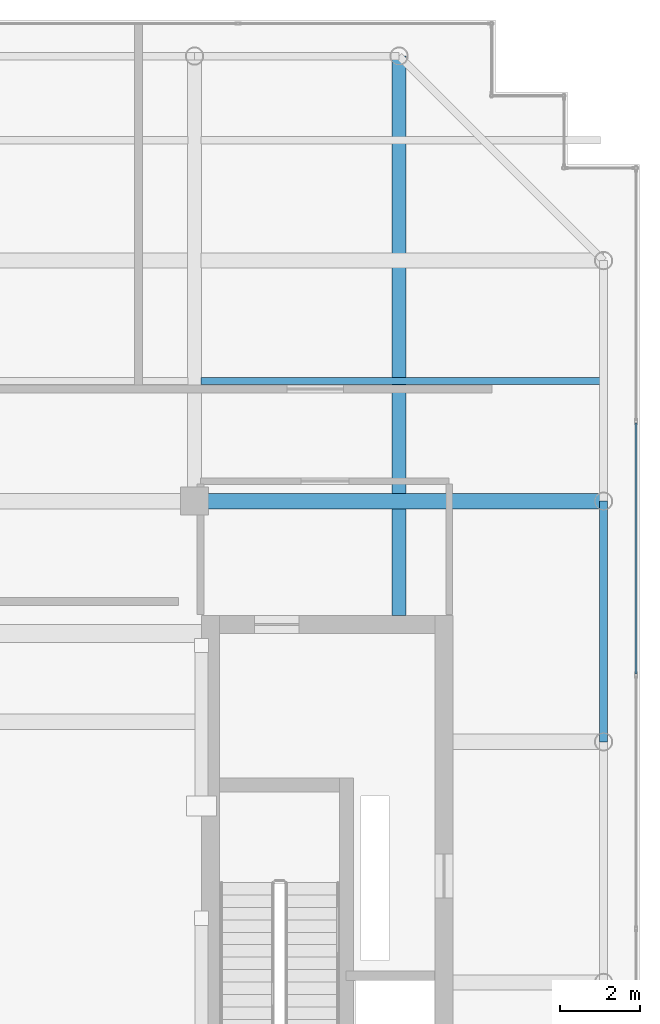
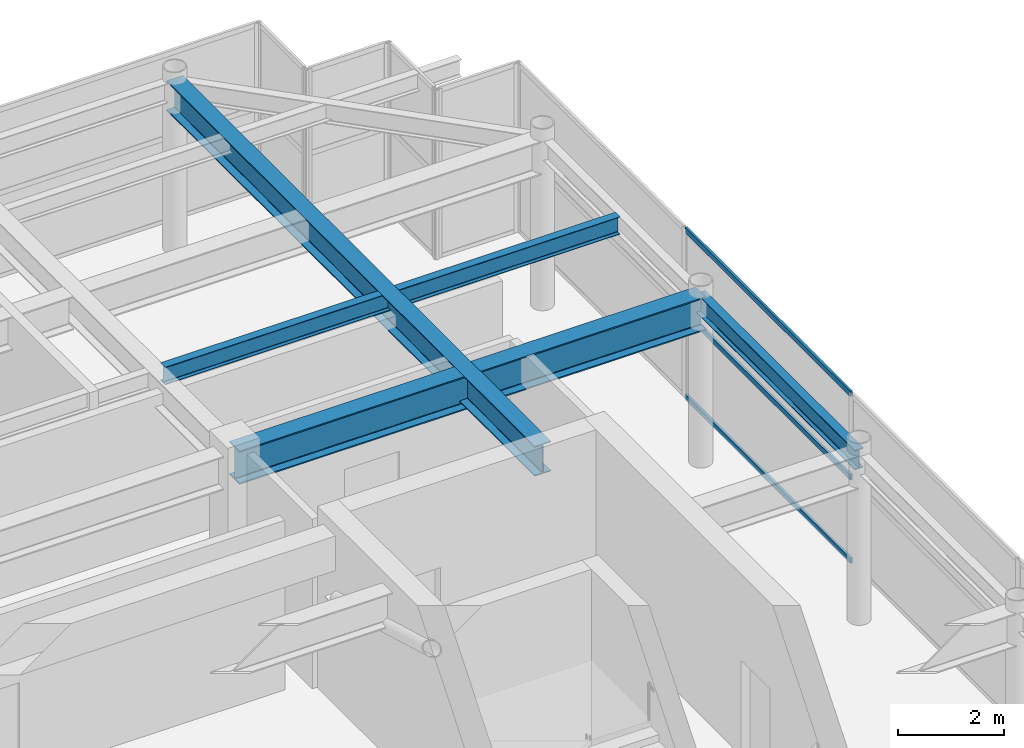
# One storey, part 18 of 33: 4 beams, 3 members, 1 element without a shape of its own.
"""IFC4 building model written with IfcOpenShell, lengths in metres."""

from ifc_helpers import new_model, si_unit, direction, frame, origin, origin_2d, place, context, subcontext, project, spatial, hollow_rectangle, i_section, extrude, source, transform, mapped, material, layer, layer_set, material_profile, profile_set, type_object, element, aggregate, save


model = new_model("IFC4")

# Units and contexts
model_context = context("Model", 3, precision=1e-05, world=origin(), true_north=direction((0.0, 1.0)))
body_context = subcontext(model_context, "Body", "Model", "MODEL_VIEW")
ifc_project = project(units=[si_unit("LENGTHUNIT", "METRE"), si_unit("AREAUNIT", "SQUARE_METRE"), si_unit("VOLUMEUNIT", "CUBIC_METRE"), si_unit("PLANEANGLEUNIT", "RADIAN"), si_unit("MASSUNIT", "GRAM", prefix="KILO")], contexts=[model_context])

# Site, building, storey
site_placement = place(None, origin())
site = spatial("IfcSite", under=ifc_project, at=site_placement, CompositionType="ELEMENT")
building_placement = place(site_placement, origin())
building = spatial("IfcBuilding", under=site, at=building_placement, Name="Khoralis Quay Care Tower", CompositionType="ELEMENT")
storey_placement = place(building_placement, frame((0.0, 0.0, 302.10009765625)))
storey = spatial("IfcBuildingStorey", under=building, at=storey_placement, Name="L79", CompositionType="ELEMENT", Elevation=302.10009765625)

# Beams
ifc_material_1 = material(Name="Steel S355", Category="steel")
ifc_material_profile_1 = material_profile(ifc_material_1, i_section(OverallWidth=0.18994140625, OverallDepth=0.449951171875, WebThickness=0.009521484375, FlangeThickness=0.0146484375, FilletRadius=0.02099609375, at=origin_2d()), Name="Steel S355")
ifc_profile_set_1 = profile_set([ifc_material_profile_1], Name="Steel S355")
beam_type_1 = type_object("IfcBeamType", Name="BM-IPE450", PredefinedType="SPANDREL", material=ifc_profile_set_1)
shared_shape_1 = source(origin(), body_context, "Body", "SweptSolid", [
    extrude(i_section(OverallWidth=0.18994140625, OverallDepth=0.449951171875, WebThickness=0.009521484375, FlangeThickness=0.0146484375, FilletRadius=0.02099609375, at=origin_2d()), origin(), (0.0, 0.0, 1.0), 6.0),
])
beam_1_placement = place(storey_placement, frame((41.10009765625, 24.0, 3.69482421875), z_axis=(0.0, 1.0, 0.0), x_axis=(-1.0, 0.0, 0.0)))
element("IfcBeam", 1, at=beam_1_placement, inside=storey, type_object=beam_type_1, Name="BM-TSP-L79-15", PredefinedType="SPANDREL", context=body_context, shape_type="MappedRepresentation", body=[
    mapped(shared_shape_1, transform((0.0, 0.0, 0.0), scale=1.0)),
])
ifc_material_profile_2 = material_profile(ifc_material_1, i_section(OverallWidth=0.381103515625, OverallDepth=0.77294921875, WebThickness=0.0166015625, FlangeThickness=0.027587890625, FilletRadius=0.02197265625, at=origin_2d()), Name="Steel S355")
ifc_profile_set_2 = profile_set([ifc_material_profile_2], Name="Steel S355")
beam_type_2 = type_object("IfcBeamType", Name="BM-W760X257", PredefinedType="BEAM", material=ifc_profile_set_2)
shared_shape_2 = source(origin(), body_context, "Body", "SweptSolid", [
    extrude(i_section(OverallWidth=0.381103515625, OverallDepth=0.77294921875, WebThickness=0.0166015625, FlangeThickness=0.027587890625, FilletRadius=0.02197265625, at=origin_2d()), origin(), (0.0, 0.0, 1.0), 10.2001953125),
])
beam_2_placement = place(storey_placement, frame((30.89990234375, 30.0, 3.533447265625), z_axis=(1.0, 0.0, 0.0), x_axis=(0.0, 1.0, 0.0)))
element("IfcBeam", 2, at=beam_2_placement, inside=storey, type_object=beam_type_2, Name="BM-TGXE-L79-300", PredefinedType="BEAM", context=body_context, shape_type="MappedRepresentation", body=[
    mapped(shared_shape_2, transform((0.0, 0.0, 0.0), scale=1.0)),
])
ifc_material_profile_3 = material_profile(ifc_material_1, i_section(OverallWidth=0.35498046875, OverallDepth=0.695068359375, WebThickness=0.015380859375, FlangeThickness=0.02490234375, FilletRadius=0.02001953125, at=origin_2d()), Name="Steel S355")
ifc_profile_set_3 = profile_set([ifc_material_profile_3], Name="Steel S355")
beam_type_3 = type_object("IfcBeamType", Name="BM-W690X217", PredefinedType="BEAM", material=ifc_profile_set_3)
shared_shape_3 = source(origin(), body_context, "Body", "SweptSolid", [
    extrude(i_section(OverallWidth=0.35498046875, OverallDepth=0.695068359375, WebThickness=0.015380859375, FlangeThickness=0.02490234375, FilletRadius=0.02001953125, at=origin_2d()), origin(), (0.0, 0.0, 1.0), 13.9521484375),
])
beam_3_placement = place(storey_placement, frame((36.0, 27.14794921875, 3.572509765625), z_axis=(0.0, 1.0, 0.0), x_axis=(-1.0, 0.0, 0.0)))
element("IfcBeam", 3, at=beam_3_placement, inside=storey, type_object=beam_type_3, Name="BM-TGYN-L79-360", PredefinedType="BEAM", context=body_context, shape_type="MappedRepresentation", body=[
    mapped(shared_shape_3, transform((0.0, 0.0, 0.0), scale=1.0)),
])
ifc_material_profile_4 = material_profile(ifc_material_1, i_section(OverallWidth=0.177978515625, OverallDepth=0.406982421875, WebThickness=0.0078125, FlangeThickness=0.0126953125, FilletRadius=0.012939453125, at=origin_2d()), Name="Steel S355")
ifc_profile_set_4 = profile_set([ifc_material_profile_4], Name="Steel S355")
beam_type_4 = type_object("IfcBeamType", Name="BM-W410X60", PredefinedType="JOIST", material=ifc_profile_set_4)
shared_shape_4 = source(origin(), body_context, "Body", "SweptSolid", [
    extrude(i_section(OverallWidth=0.177978515625, OverallDepth=0.406982421875, WebThickness=0.0078125, FlangeThickness=0.0126953125, FilletRadius=0.012939453125, at=origin_2d()), origin(), (0.0, 0.0, 1.0), 9.95361328125),
])
beam_4_placement = place(storey_placement, frame((31.0654296875, 33.0, 3.71630859375), z_axis=(1.0, 0.0, 0.0), x_axis=(0.0, 1.0, 0.0)))
element("IfcBeam", 4, at=beam_4_placement, inside=storey, type_object=beam_type_4, Name="BM-TJS-L79-25", PredefinedType="JOIST", context=body_context, shape_type="MappedRepresentation", body=[
    mapped(shared_shape_4, transform((0.0, 0.0, 0.0), scale=1.0)),
])

# Curtain wall, members
ifc_material_2 = material(Name="Pale anodised aluminium", Category="aluminium")
ifc_layer = layer(ifc_material_2, 0.199951171875)
ifc_layer_set = layer_set([ifc_layer], Name="Pale anodised aluminium")
curtain_wall_type = type_object("IfcCurtainWallType", Name="CW-SYS-LANTERN", PredefinedType="NOTDEFINED", material=ifc_layer_set)
curtain_wall_placement = place(storey_placement, origin())
curtain_wall = element("IfcCurtainWall", 5, at=curtain_wall_placement, inside=storey, type_object=curtain_wall_type, Name="L79 Unitised Curtain Wall CW-LN-L79-06", PredefinedType="NOTDEFINED")
ifc_material_profile_5 = material_profile(ifc_material_2, hollow_rectangle(XDim=0.054931640625, YDim=0.1201171875, WallThickness=0.00390625, at=origin_2d()), Name="Pale anodised aluminium")
ifc_profile_set_5 = profile_set([ifc_material_profile_5], Name="Pale anodised aluminium")
member_type = type_object("IfcMemberType", Name="CW-TRN-120", PredefinedType="USERDEFINED", material=ifc_profile_set_5)
shared_shape_5 = source(origin(), body_context, "Body", "SweptSolid", [
    extrude(hollow_rectangle(XDim=0.054931640625, YDim=0.1201171875, WallThickness=0.00390625, at=origin_2d()), origin(), (0.0, 0.0, 1.0), 6.26416015625),
])
member_1_placement = place(storey_placement, frame((41.909912109375, 25.69189453125, 0.02978515625), z_axis=(0.0, 1.0, 0.0), x_axis=(-1.0, 0.0, 0.0)))
member_1 = element("IfcMember", 6, at=member_1_placement, type_object=member_type, Name="CW5 transom 4.1", ObjectType="TRANSOM", PredefinedType="USERDEFINED", context=body_context, shape_type="MappedRepresentation", body=[
    mapped(shared_shape_5, transform((0.0, 0.0, 0.0), scale=1.0)),
])
member_2_placement = place(storey_placement, frame((41.909912109375, 25.69189453125, 1.9599609375), z_axis=(0.0, 1.0, 0.0), x_axis=(-1.0, 0.0, 0.0)))
member_2 = element("IfcMember", 7, at=member_2_placement, type_object=member_type, Name="CW5 transom 4.2", ObjectType="TRANSOM", PredefinedType="USERDEFINED", context=body_context, shape_type="MappedRepresentation", body=[
    mapped(shared_shape_5, transform((0.0, 0.0, 0.0), scale=1.0)),
])
member_3_placement = place(storey_placement, frame((41.909912109375, 25.69189453125, 3.889892578125), z_axis=(0.0, 1.0, 0.0), x_axis=(-1.0, 0.0, 0.0)))
member_3 = element("IfcMember", 8, at=member_3_placement, type_object=member_type, Name="CW5 transom 4.3", ObjectType="TRANSOM", PredefinedType="USERDEFINED", context=body_context, shape_type="MappedRepresentation", body=[
    mapped(shared_shape_5, transform((0.0, 0.0, 0.0), scale=1.0)),
])
aggregate(curtain_wall, [member_1, member_2, member_3])

save(model, "model.ifc")
